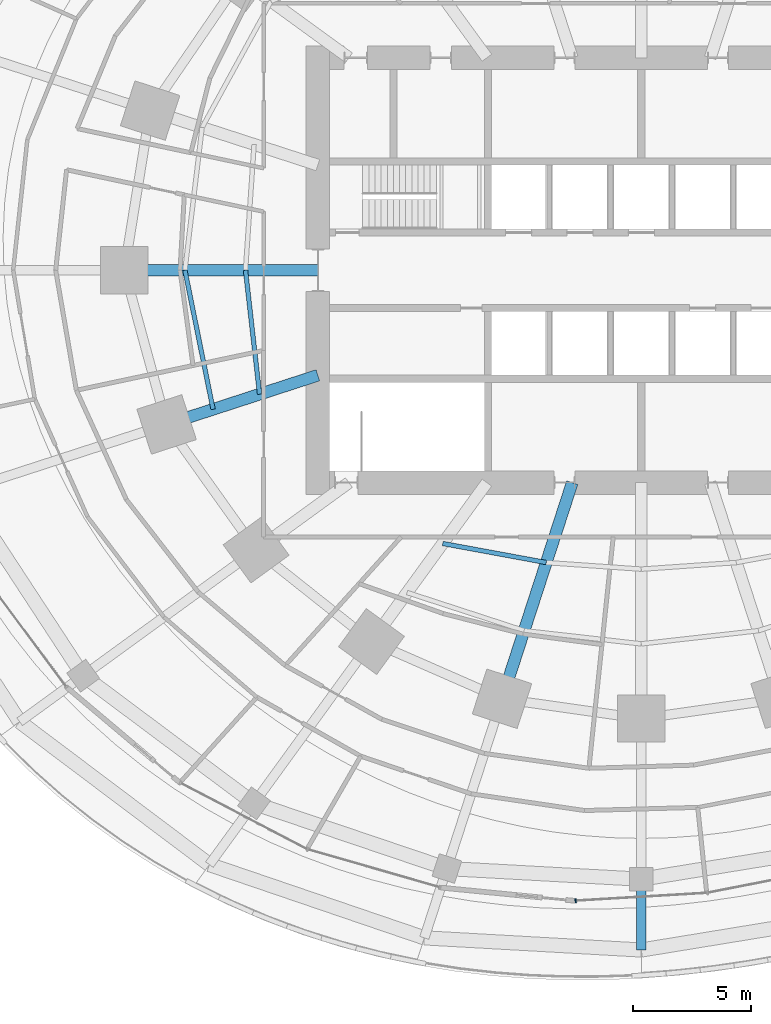
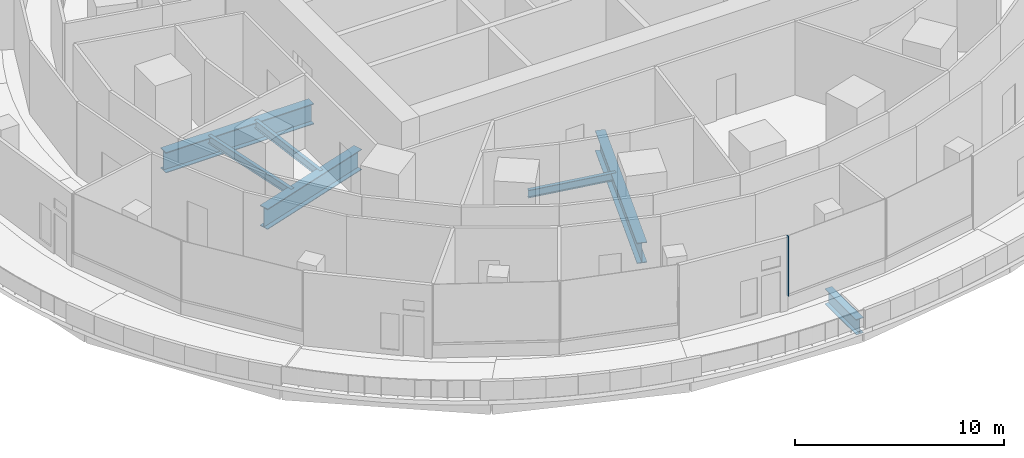
# One storey, part 4 of 26: 7 beams, 1 member, 1 element without a shape of its own.
"""IFC4 building model written with IfcOpenShell, lengths in metres."""

from ifc_helpers import new_model, si_unit, direction, frame, origin, origin_2d, place, context, subcontext, project, spatial, rectangle, i_section, extrude, material, material_profile, profile_set, type_object, element, aggregate, save


model = new_model("IFC4")

# Units and contexts
model_context = context("Model", 3, precision=1e-05, world=origin(), true_north=direction((0.0, 1.0)))
body_context = subcontext(model_context, "Body", "Model", "MODEL_VIEW")
ifc_project = project(units=[si_unit("LENGTHUNIT", "METRE"), si_unit("AREAUNIT", "SQUARE_METRE"), si_unit("VOLUMEUNIT", "CUBIC_METRE"), si_unit("PLANEANGLEUNIT", "RADIAN"), si_unit("MASSUNIT", "GRAM", prefix="KILO")], contexts=[model_context])

# Site, building, storey
site_placement = place(None, origin())
site = spatial("IfcSite", under=ifc_project, at=site_placement, CompositionType="ELEMENT")
building_placement = place(site_placement, origin())
building = spatial("IfcBuilding", under=site, at=building_placement, Name="Marramba Exchange Tower", CompositionType="ELEMENT")
storey_placement = place(building_placement, frame((0.0, 0.0, 15.10009765625)))
storey = spatial("IfcBuildingStorey", under=building, at=storey_placement, Name="L03", CompositionType="ELEMENT", Elevation=15.10009765625)

# Beams
ifc_material_1 = material(Name="Steel AS/NZS 3679.1 grade 300", Category="steel")
ifc_material_profile_1 = material_profile(ifc_material_1, i_section(OverallWidth=0.18994140625, OverallDepth=0.4541015625, WebThickness=0.008544921875, FlangeThickness=0.0126953125, FilletRadius=0.011474609375, at=origin_2d()), Name="460UB67.1")
ifc_profile_set_1 = profile_set([ifc_material_profile_1], Name="Steel AS/NZS 3679.1 grade 300")
beam_type_1 = type_object("IfcBeamType", Name="Floor joist 460UB67.1", PredefinedType="JOIST", material=ifc_profile_set_1)
beam_1_placement = place(storey_placement, frame((-16.7666015625, 0.0, -0.427001953125), z_axis=(0.112888968594, -0.993607609054, 0.0), x_axis=(0.993607609054, 0.112888968594, 0.0)))
element("IfcBeam", 1, at=beam_1_placement, inside=storey, type_object=beam_type_1, Name="Joist L03 bay 11 row 1", PredefinedType="JOIST", context=body_context, shape_type="SweptSolid", body=[
    extrude(i_section(OverallWidth=0.18994140625, OverallDepth=0.4541015625, WebThickness=0.008544921875, FlangeThickness=0.0126953125, FilletRadius=0.011474609375, at=origin_2d()), origin(), (0.0, 0.0, 1.0), 5.28759765625),
])
beam_2_placement = place(storey_placement, frame((-19.333251953125, 0.0, -0.427001953125), z_axis=(0.198489047047, -0.980103105904, 0.0), x_axis=(0.980103105904, 0.198489047047, 0.0)))
element("IfcBeam", 2, at=beam_2_placement, inside=storey, type_object=beam_type_1, Name="Joist L03 bay 11 row 2", PredefinedType="JOIST", context=body_context, shape_type="SweptSolid", body=[
    extrude(i_section(OverallWidth=0.18994140625, OverallDepth=0.4541015625, WebThickness=0.008544921875, FlangeThickness=0.0126953125, FilletRadius=0.011474609375, at=origin_2d()), origin(), (0.0, 0.0, 1.0), 6.013427734375),
])
beam_3_placement = place(storey_placement, frame((-8.41162109375, -11.57763671875, -0.427001953125), z_axis=(0.983455754421, -0.181148500119, 0.0), x_axis=(0.181148500119, 0.983455754421, 0.0)))
element("IfcBeam", 3, at=beam_3_placement, inside=storey, type_object=beam_type_1, Name="Joist L03 bay 14 row 1", PredefinedType="JOIST", context=body_context, shape_type="SweptSolid", body=[
    extrude(i_section(OverallWidth=0.18994140625, OverallDepth=0.4541015625, WebThickness=0.008544921875, FlangeThickness=0.0126953125, FilletRadius=0.011474609375, at=origin_2d()), origin(), (0.0, 0.0, 1.0), 4.4609375),
])

# Curtain wall, member
ifc_material_2 = material(Name="Aluminium framing, bronze anodised", Category="aluminium")
curtain_wall_type = type_object("IfcCurtainWallType", Name="Podium ribbon curtain wall", PredefinedType="USERDEFINED", material=ifc_material_2)
curtain_wall_placement = place(storey_placement, origin())
curtain_wall = element("IfcCurtainWall", 4, at=curtain_wall_placement, inside=storey, type_object=curtain_wall_type, Name="Curtain wall CW2 L03 F23-F24", ObjectType="RIBBON CURTAIN WALL", PredefinedType="USERDEFINED")
ifc_material_3 = material(Name="Aluminium mullion, bronze anodised", Category="aluminium")
ifc_material_profile_2 = material_profile(ifc_material_3, rectangle(XDim=0.159912109375, YDim=0.06005859375, at=origin_2d()), Name="CW2 mullion 60x160")
ifc_profile_set_2 = profile_set([ifc_material_profile_2], Name="Aluminium mullion, bronze anodised")
member_type = type_object("IfcMemberType", Name="Podium ribbon curtain wall mullion", PredefinedType="MULLION", material=ifc_profile_set_2)
member_placement = place(storey_placement, frame((-2.778076171875, -26.714111328125, 0.7998046875), z_axis=(0.0, 0.0, 1.0), x_axis=(-0.059467634766, 0.998230234172, 0.0)))
member = element("IfcMember", 5, at=member_placement, type_object=member_type, Name="CW2 mullion 1", PredefinedType="MULLION", context=body_context, shape_type="SweptSolid", body=[
    extrude(rectangle(XDim=0.159912109375, YDim=0.06005859375, at=origin_2d()), origin(), (0.0, 0.0, 1.0), 3.5),
])
aggregate(curtain_wall, [member])

# Beams
ifc_material_4 = material(Name="Steel AS/NZS 3679.2 grade 300", Category="steel")
ifc_material_profile_3 = material_profile(ifc_material_4, i_section(OverallWidth=0.5, OverallDepth=1.199951171875, WebThickness=0.01611328125, FlangeThickness=0.0400390625, at=origin_2d()), Name="1200WB455")
ifc_profile_set_3 = profile_set([ifc_material_profile_3], Name="Steel AS/NZS 3679.2 grade 300")
beam_type_2 = type_object("IfcBeamType", Name="Radial girder 1200WB455", PredefinedType="BEAM", material=ifc_profile_set_3)
beam_4_placement = place(storey_placement, frame((-13.699951171875, 0.0, -0.800048828125), z_axis=(-1.0, 0.0, 0.0), x_axis=(0.0, -1.0, 0.0)))
element("IfcBeam", 6, at=beam_4_placement, inside=storey, type_object=beam_type_2, Name="Radial girder L03 TC11", PredefinedType="BEAM", context=body_context, shape_type="SweptSolid", body=[
    extrude(i_section(OverallWidth=0.5, OverallDepth=1.199951171875, WebThickness=0.01611328125, FlangeThickness=0.0400390625, at=origin_2d()), origin(), (0.0, 0.0, 1.0), 8.199951171875),
])
beam_5_placement = place(storey_placement, frame((-13.699951171875, -4.451416015625, -0.800048828125), z_axis=(-0.951057759669, -0.309013167637, 0.0), x_axis=(0.309013167637, -0.951057759669, 0.0)))
element("IfcBeam", 7, at=beam_5_placement, inside=storey, type_object=beam_type_2, Name="Radial girder L03 TC12", PredefinedType="BEAM", context=body_context, shape_type="SweptSolid", body=[
    extrude(i_section(OverallWidth=0.5, OverallDepth=1.199951171875, WebThickness=0.01611328125, FlangeThickness=0.0400390625, at=origin_2d()), origin(), (0.0, 0.0, 1.0), 6.7392578125),
])
beam_6_placement = place(storey_placement, frame((-2.92431640625, -9.0, -0.800048828125), z_axis=(-0.309022428985, -0.951054750466, 0.0), x_axis=(0.951054750466, -0.309022428985, 0.0)))
element("IfcBeam", 8, at=beam_6_placement, inside=storey, type_object=beam_type_2, Name="Radial girder L03 TC15", PredefinedType="BEAM", context=body_context, shape_type="SweptSolid", body=[
    extrude(i_section(OverallWidth=0.5, OverallDepth=1.199951171875, WebThickness=0.01611328125, FlangeThickness=0.0400390625, at=origin_2d()), origin(), (0.0, 0.0, 1.0), 9.628173828125),
])
ifc_material_profile_4 = material_profile(ifc_material_4, i_section(OverallWidth=0.39990234375, OverallDepth=0.89990234375, WebThickness=0.01611328125, FlangeThickness=0.031982421875, at=origin_2d()), Name="900WB282")
ifc_profile_set_4 = profile_set([ifc_material_profile_4], Name="Steel AS/NZS 3679.2 grade 300")
beam_type_3 = type_object("IfcBeamType", Name="Radial girder 900WB282", PredefinedType="BEAM", material=ifc_profile_set_4)
beam_7_placement = place(storey_placement, frame((0.0, -28.800048828125, -0.7001953125), z_axis=(0.0, 1.0, 0.0), x_axis=(-1.0, 0.0, 0.0)))
element("IfcBeam", 9, at=beam_7_placement, inside=storey, type_object=beam_type_3, Name="Radial girder L03 P2C16", PredefinedType="BEAM", context=body_context, shape_type="SweptSolid", body=[
    extrude(i_section(OverallWidth=0.39990234375, OverallDepth=0.89990234375, WebThickness=0.01611328125, FlangeThickness=0.031982421875, at=origin_2d()), origin(), (0.0, 0.0, 1.0), 3.0),
])

save(model, "model.ifc")
